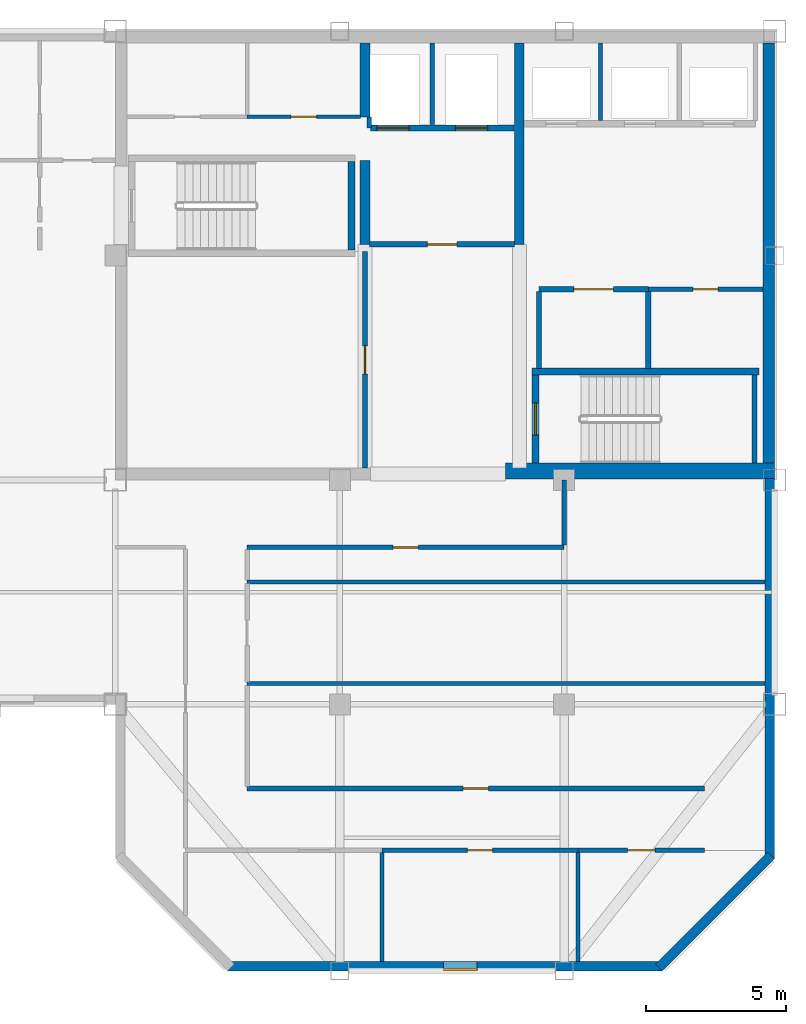
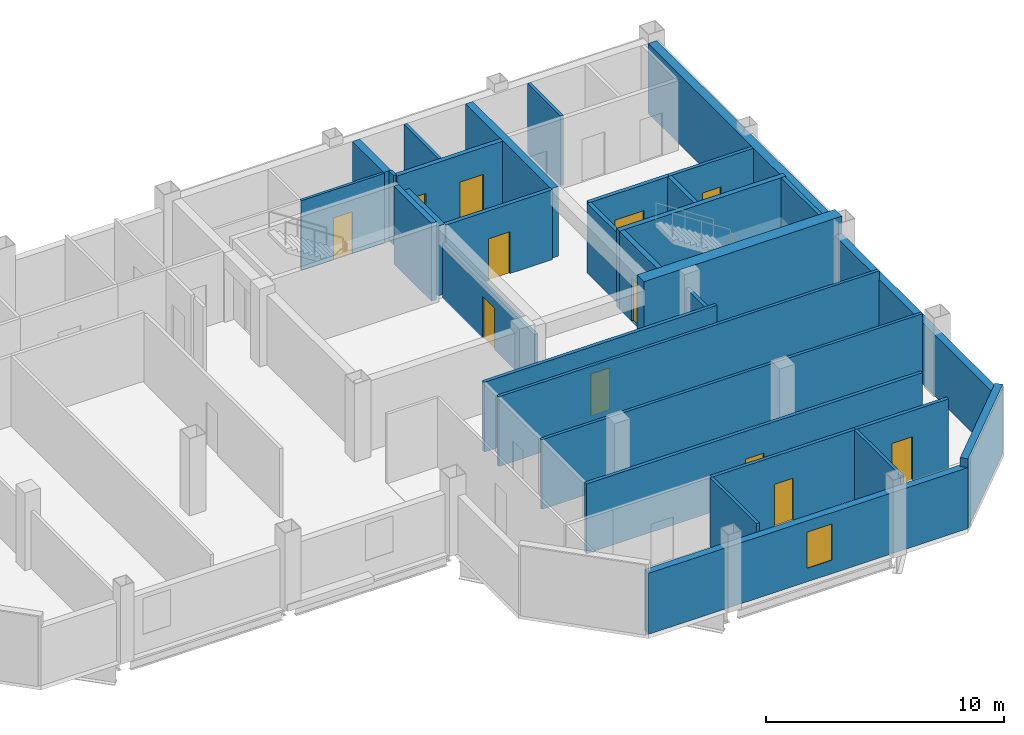
# One storey, part 3 of 7: 32 walls, 12 doors, 1 window, 13 openings.
"""IFC4 building model written with IfcOpenShell, lengths in metres."""

from ifc_helpers import new_model, si_unit, direction, frame, frame_2d, origin, place, context, subcontext, project, spatial, rectangle, extrude, material, layer, layer_set, type_object, element, fill, save


model = new_model("IFC4")

# Units and contexts
model_context = context("Model", 3, precision=1e-05, world=origin(), true_north=direction((0.0, 1.0)))
body_context = subcontext(model_context, "Body", "Model", "MODEL_VIEW")
ifc_project = project(units=[si_unit("LENGTHUNIT", "METRE"), si_unit("AREAUNIT", "SQUARE_METRE"), si_unit("VOLUMEUNIT", "CUBIC_METRE"), si_unit("PLANEANGLEUNIT", "RADIAN"), si_unit("MASSUNIT", "GRAM", prefix="KILO")], contexts=[model_context])

# Site, building, storey
site_placement = place(None, origin())
site = spatial("IfcSite", under=ifc_project, at=site_placement, CompositionType="ELEMENT")
building_placement = place(site_placement, origin())
building = spatial("IfcBuilding", under=site, at=building_placement, Name="Qianrong Seaharbour Tower", CompositionType="ELEMENT")
storey_placement = place(building_placement, frame((0.0, 0.0, 363.199951171875)))
storey = spatial("IfcBuildingStorey", under=building, at=storey_placement, Name="L88", CompositionType="ELEMENT", Elevation=363.199951171875)

# Walls
ifc_material_1 = material(Name="Concrete C50/60", Category="concrete")
ifc_layer_1 = layer(ifc_material_1, 0.419921875)
ifc_layer_set_1 = layer_set([ifc_layer_1], Name="Concrete C50/60")
wall_type_1 = type_object("IfcWallType", Name="WALL-CORE-420", PredefinedType="SHEAR", material=ifc_layer_set_1)
wall_1_placement = place(storey_placement, frame((63.7900390625, 36.320068359375, 0.0), z_axis=(0.0, 0.0, 1.0), x_axis=(0.0, 1.0, 0.0)))
element("IfcWall", 1, at=wall_1_placement, inside=storey, type_object=wall_type_1, Name="L88 East Core Shear Wall", PredefinedType="SHEAR", context=body_context, shape_type="SweptSolid", body=[
    extrude(rectangle(XDim=15.260009765625, YDim=0.419921875, at=frame_2d((7.6298828125, 0.0))), origin(), (0.0, 0.0, 1.0), 3.580078125),
])
ifc_material_2 = material(Name="Concrete C70/85", Category="concrete")
ifc_layer_2 = layer(ifc_material_2, 0.580078125)
ifc_layer_set_2 = layer_set([ifc_layer_2], Name="Concrete C70/85")
wall_type_2 = type_object("IfcWallType", Name="WALL-CORE-580", PredefinedType="SHEAR", material=ifc_layer_set_2)
wall_2_placement = place(storey_placement, frame((54.39990234375, 36.320068359375, 0.0), z_axis=(0.0, 0.0, 1.0), x_axis=(1.0, 0.0, 0.0)))
element("IfcWall", 2, at=wall_2_placement, inside=storey, type_object=wall_type_2, Name="L88 South Core Shear Wall S3", PredefinedType="SHEAR", context=body_context, shape_type="SweptSolid", body=[
    extrude(rectangle(XDim=9.60009765625, YDim=0.580078125, at=frame_2d((4.800048828125, 0.0))), origin(), (0.0, 0.0, 1.0), 4.0),
])
ifc_layer_3 = layer(ifc_material_1, 0.35009765625)
ifc_layer_set_3 = layer_set([ifc_layer_3], Name="Concrete C50/60")
wall_type_3 = type_object("IfcWallType", Name="WALL-CORE-INT-350", PredefinedType="SHEAR", material=ifc_layer_set_3)
wall_3_placement = place(storey_placement, frame((49.39990234375, 44.39990234375, 0.0), z_axis=(0.0, 0.0, 1.0), x_axis=(0.0, 1.0, 0.0)))
element("IfcWall", 3, at=wall_3_placement, inside=storey, type_object=wall_type_3, Name="L88 Internal Core Shear Wall IW1N1", PredefinedType="SHEAR", context=body_context, shape_type="SweptSolid", body=[
    extrude(rectangle(XDim=3.0, YDim=0.35009765625, at=frame_2d((1.5, 0.0))), origin(), (0.0, 0.0, 1.0), 3.580078125),
])
wall_4_placement = place(storey_placement, frame((49.39990234375, 48.949951171875, 0.0), z_axis=(0.0, 0.0, 1.0), x_axis=(0.0, 1.0, 0.0)))
element("IfcWall", 4, at=wall_4_placement, inside=storey, type_object=wall_type_3, Name="L88 Internal Core Shear Wall IW1N2", PredefinedType="SHEAR", context=body_context, shape_type="SweptSolid", body=[
    extrude(rectangle(XDim=2.630126953125, YDim=0.35009765625, at=frame_2d((1.31494140625, 0.0))), origin(), (0.0, 0.0, 1.0), 3.580078125),
])
wall_5_placement = place(storey_placement, frame((54.89990234375, 44.39990234375, 0.0), z_axis=(0.0, 0.0, 1.0), x_axis=(0.0, 1.0, 0.0)))
element("IfcWall", 5, at=wall_5_placement, inside=storey, type_object=wall_type_3, Name="L88 Internal Core Shear Wall IW2N", PredefinedType="SHEAR", context=body_context, shape_type="SweptSolid", body=[
    extrude(rectangle(XDim=7.18017578125, YDim=0.35009765625, at=frame_2d((3.590087890625, 0.0))), origin(), (0.0, 0.0, 1.0), 3.580078125),
])

# Wall, opening, door
ifc_material_3 = material(Name="Fire-rated acoustic gypsum board partition")
ifc_layer_4 = layer(ifc_material_3, 0.1650390625)
ifc_layer_set_4 = layer_set([ifc_layer_4], Name="Fire-rated acoustic gypsum board partition")
wall_type_4 = type_object("IfcWallType", Name="WALL-CORR-PART-165", PredefinedType="PARTITIONING", material=ifc_layer_set_4)
wall_6_placement = place(storey_placement, frame((49.39990234375, 36.419921875, 0.0), z_axis=(0.0, 0.0, 1.0), x_axis=(0.0, 1.0, 0.0)))
wall_6 = element("IfcWall", 6, at=wall_6_placement, inside=storey, type_object=wall_type_4, Name="L88 Interior Partition Wall 010", PredefinedType="PARTITIONING", context=body_context, shape_type="SweptSolid", body=[
    extrude(rectangle(XDim=7.72998046875, YDim=0.1650390625, at=frame_2d((3.864990234375, 0.0))), origin(), (0.0, 0.0, 1.0), 2.822021484375),
])
opening_1_placement = place(wall_6_placement, frame((3.364990234375, 0.0, 0.0)))
opening_1 = element("IfcOpeningElement", 7, at=opening_1_placement, cuts=wall_6, Name="Opening DO-01", PredefinedType="OPENING", context=body_context, shape_type="SweptSolid", body=[
    extrude(rectangle(XDim=1.0, YDim=2.14990234375, at=frame_2d((0.5, 1.074951171875))), frame((0.0, 0.092529296875, 0.0), z_axis=(0.0, -1.0, 0.0), x_axis=(1.0, 0.0, 0.0)), (0.0, 0.0, 1.0), 0.18505859375),
])
ifc_material_4 = material(Name="Acoustic timber and galvanized steel fire door assembly", Category="steel")
door_type_1 = type_object("IfcDoorType", Name="DOOR-OFFICE-1000x2150", OperationType="NOTDEFINED", PredefinedType="DOOR", material=ifc_material_4)
door_1_placement = place(opening_1_placement, origin())
door_1 = element("IfcDoor", 8, at=door_1_placement, inside=storey, type_object=door_type_1, Name="L88 Data Systems Office Door", OperationType="SINGLE_SWING_LEFT", OverallHeight=2.14990234375, OverallWidth=1.0, PredefinedType="DOOR", context=body_context, shape_type="SweptSolid", body=[
    extrude(rectangle(XDim=1.0, YDim=2.14990234375, at=frame_2d((0.5, 1.074951171875))), frame((0.0, 0.02490234375, 0.0), z_axis=(0.0, -1.0, 0.0), x_axis=(1.0, 0.0, 0.0)), (0.0, 0.0, 1.0), 0.050048828125),
])
fill(opening_1, door_1)

wall_7_placement = place(storey_placement, frame((63.580078125, 42.800048828125, 0.0), z_axis=(0.0, 0.0, 1.0), x_axis=(-1.0, 0.0, 0.0)))
wall_7 = element("IfcWall", 9, at=wall_7_placement, inside=storey, type_object=wall_type_4, Name="L88 Interior Partition Wall 013", PredefinedType="PARTITIONING", context=body_context, shape_type="SweptSolid", body=[
    extrude(rectangle(XDim=4.080078125, YDim=0.1650390625, at=frame_2d((2.0400390625, 0.0))), origin(), (0.0, 0.0, 1.0), 3.580078125),
])
opening_2_placement = place(wall_7_placement, frame((1.590087890625, 0.0, 0.0)))
opening_2 = element("IfcOpeningElement", 10, at=opening_2_placement, cuts=wall_7, Name="Opening DS-01", PredefinedType="OPENING", context=body_context, shape_type="SweptSolid", body=[
    extrude(rectangle(XDim=0.89990234375, YDim=2.14990234375, at=frame_2d((0.449951171875, 1.074951171875))), frame((0.0, 0.092529296875, 0.0), z_axis=(0.0, -1.0, 0.0), x_axis=(1.0, 0.0, 0.0)), (0.0, 0.0, 1.0), 0.18505859375),
])
door_type_2 = type_object("IfcDoorType", Name="DOOR-STORE-900x2150", OperationType="NOTDEFINED", PredefinedType="DOOR", material=ifc_material_4)
door_2_placement = place(opening_2_placement, origin())
door_2 = element("IfcDoor", 11, at=door_2_placement, inside=storey, type_object=door_type_2, Name="L88 Cleaner Store Room Door", OperationType="SINGLE_SWING_RIGHT", OverallHeight=2.14990234375, OverallWidth=0.89990234375, PredefinedType="DOOR", context=body_context, shape_type="SweptSolid", body=[
    extrude(rectangle(XDim=0.89990234375, YDim=2.14990234375, at=frame_2d((0.449951171875, 1.074951171875))), frame((0.0, 0.02490234375, 0.0), z_axis=(0.0, -1.0, 0.0), x_axis=(1.0, 0.0, 0.0)), (0.0, 0.0, 1.0), 0.050048828125),
])
fill(opening_2, door_2)

# Wall
wall_8_placement = place(storey_placement, frame((56.5, 36.0, 0.0), z_axis=(0.0, 0.0, 1.0), x_axis=(0.0, -1.0, 0.0)))
element("IfcWall", 12, at=wall_8_placement, inside=storey, type_object=wall_type_4, Name="L88 Interior Partition Wall 024", PredefinedType="PARTITIONING", context=body_context, shape_type="SweptSolid", body=[
    extrude(rectangle(XDim=2.325439453125, YDim=0.1650390625, at=frame_2d((1.16259765625, 0.0))), origin(), (0.0, 0.0, 1.0), 2.97216796875),
])

# Wall, opening, door
wall_9_placement = place(storey_placement, frame((56.5, 33.60009765625, 0.0), z_axis=(0.0, 0.0, 1.0), x_axis=(-1.0, 0.0, 0.0)))
wall_9 = element("IfcWall", 13, at=wall_9_placement, inside=storey, type_object=wall_type_4, Name="L88 Interior Partition Wall 025", PredefinedType="PARTITIONING", context=body_context, shape_type="SweptSolid", body=[
    extrude(rectangle(XDim=11.300048828125, YDim=0.1650390625, at=frame_2d((5.64990234375, 0.0))), origin(), (0.0, 0.0, 1.0), 3.580078125),
])
opening_3_placement = place(wall_9_placement, frame((5.199951171875, 0.0, 0.0)))
opening_3 = element("IfcOpeningElement", 14, at=opening_3_placement, cuts=wall_9, Name="Opening DS-01", PredefinedType="OPENING", context=body_context, shape_type="SweptSolid", body=[
    extrude(rectangle(XDim=0.89990234375, YDim=2.14990234375, at=frame_2d((0.449951171875, 1.074951171875))), frame((0.0, 0.092529296875, 0.0), z_axis=(0.0, -1.0, 0.0), x_axis=(1.0, 0.0, 0.0)), (0.0, 0.0, 1.0), 0.18505859375),
])
door_3_placement = place(opening_3_placement, origin())
door_3 = element("IfcDoor", 15, at=door_3_placement, inside=storey, type_object=door_type_2, Name="L88 Document Registry Store 3 Door", OperationType="SINGLE_SWING_LEFT", OverallHeight=2.14990234375, OverallWidth=0.89990234375, PredefinedType="DOOR", context=body_context, shape_type="SweptSolid", body=[
    extrude(rectangle(XDim=0.89990234375, YDim=2.14990234375, at=frame_2d((0.449951171875, 1.074951171875))), frame((0.0, 0.02490234375, 0.0), z_axis=(0.0, -1.0, 0.0), x_axis=(1.0, 0.0, 0.0)), (0.0, 0.0, 1.0), 0.050048828125),
])
fill(opening_3, door_3)

wall_10_placement = place(storey_placement, frame((45.199951171875, 25.0, 0.0), z_axis=(0.0, 0.0, 1.0), x_axis=(1.0, 0.0, 0.0)))
wall_10 = element("IfcWall", 16, at=wall_10_placement, inside=storey, type_object=wall_type_4, Name="L88 Interior Partition Wall 032", PredefinedType="PARTITIONING", context=body_context, shape_type="SweptSolid", body=[
    extrude(rectangle(XDim=16.300048828125, YDim=0.1650390625, at=frame_2d((8.14990234375, 0.0))), origin(), (0.0, 0.0, 1.0), 3.580078125),
])
opening_4_placement = place(wall_10_placement, frame((7.699951171875, 0.0, 0.0)))
opening_4 = element("IfcOpeningElement", 17, at=opening_4_placement, cuts=wall_10, Name="Opening DS-01", PredefinedType="OPENING", context=body_context, shape_type="SweptSolid", body=[
    extrude(rectangle(XDim=0.89990234375, YDim=2.14990234375, at=frame_2d((0.449951171875, 1.074951171875))), frame((0.0, 0.092529296875, 0.0), z_axis=(0.0, -1.0, 0.0), x_axis=(1.0, 0.0, 0.0)), (0.0, 0.0, 1.0), 0.18505859375),
])
door_4_placement = place(opening_4_placement, origin())
door_4 = element("IfcDoor", 18, at=door_4_placement, inside=storey, type_object=door_type_2, Name="L88 Docket Archive Store 1 Door", OperationType="SINGLE_SWING_LEFT", OverallHeight=2.14990234375, OverallWidth=0.89990234375, PredefinedType="DOOR", context=body_context, shape_type="SweptSolid", body=[
    extrude(rectangle(XDim=0.89990234375, YDim=2.14990234375, at=frame_2d((0.449951171875, 1.074951171875))), frame((0.0, 0.02490234375, 0.0), z_axis=(0.0, -1.0, 0.0), x_axis=(1.0, 0.0, 0.0)), (0.0, 0.0, 1.0), 0.050048828125),
])
fill(opening_4, door_4)

wall_11_placement = place(storey_placement, frame((57.0, 22.800048828125, 0.0), z_axis=(0.0, 0.0, 1.0), x_axis=(-1.0, 0.0, 0.0)))
wall_11 = element("IfcWall", 19, at=wall_11_placement, inside=storey, type_object=wall_type_4, Name="L88 Interior Partition Wall 034", PredefinedType="PARTITIONING", context=body_context, shape_type="SweptSolid", body=[
    extrude(rectangle(XDim=7.0, YDim=0.1650390625, at=frame_2d((3.5, 0.0))), origin(), (0.0, 0.0, 1.0), 3.580078125),
])
opening_5_placement = place(wall_11_placement, frame((3.050048828125, 0.0, 0.0)))
opening_5 = element("IfcOpeningElement", 20, at=opening_5_placement, cuts=wall_11, Name="Opening DS-01", PredefinedType="OPENING", context=body_context, shape_type="SweptSolid", body=[
    extrude(rectangle(XDim=0.89990234375, YDim=2.14990234375, at=frame_2d((0.449951171875, 1.074951171875))), frame((0.0, 0.092529296875, 0.0), z_axis=(0.0, -1.0, 0.0), x_axis=(1.0, 0.0, 0.0)), (0.0, 0.0, 1.0), 0.18505859375),
])
door_5_placement = place(opening_5_placement, origin())
door_5 = element("IfcDoor", 21, at=door_5_placement, inside=storey, type_object=door_type_2, Name="L88 Corporate Archive Room 2 Door", OperationType="SINGLE_SWING_RIGHT", OverallHeight=2.14990234375, OverallWidth=0.89990234375, PredefinedType="DOOR", context=body_context, shape_type="SweptSolid", body=[
    extrude(rectangle(XDim=0.89990234375, YDim=2.14990234375, at=frame_2d((0.449951171875, 1.074951171875))), frame((0.0, 0.02490234375, 0.0), z_axis=(0.0, -1.0, 0.0), x_axis=(1.0, 0.0, 0.0)), (0.0, 0.0, 1.0), 0.050048828125),
])
fill(opening_5, door_5)

wall_12_placement = place(storey_placement, frame((61.5, 22.800048828125, 0.0), z_axis=(0.0, 0.0, 1.0), x_axis=(-1.0, 0.0, 0.0)))
wall_12 = element("IfcWall", 22, at=wall_12_placement, inside=storey, type_object=wall_type_4, Name="L88 Interior Partition Wall 035", PredefinedType="PARTITIONING", context=body_context, shape_type="SweptSolid", body=[
    extrude(rectangle(XDim=4.5, YDim=0.1650390625, at=frame_2d((2.25, 0.0))), origin(), (0.0, 0.0, 1.0), 3.580078125),
])
opening_6_placement = place(wall_12_placement, frame((1.760009765625, 0.0, 0.0)))
opening_6 = element("IfcOpeningElement", 23, at=opening_6_placement, cuts=wall_12, Name="Opening DE-01", PredefinedType="OPENING", context=body_context, shape_type="SweptSolid", body=[
    extrude(rectangle(XDim=0.97998046875, YDim=2.25, at=frame_2d((0.489990234375, 1.125))), frame((0.0, 0.092529296875, 0.0), z_axis=(0.0, -1.0, 0.0), x_axis=(1.0, 0.0, 0.0)), (0.0, 0.0, 1.0), 0.18505859375),
])
door_type_3 = type_object("IfcDoorType", Name="DOOR-EXEC-980x2250", OperationType="NOTDEFINED", PredefinedType="DOOR", material=ifc_material_4)
door_6_placement = place(opening_6_placement, origin())
door_6 = element("IfcDoor", 24, at=door_6_placement, inside=storey, type_object=door_type_3, Name="L88 Senior Partner Office 3 Door", OperationType="SINGLE_SWING_LEFT", OverallHeight=2.25, OverallWidth=0.97998046875, PredefinedType="DOOR", context=body_context, shape_type="SweptSolid", body=[
    extrude(rectangle(XDim=0.97998046875, YDim=2.25, at=frame_2d((0.489990234375, 1.125))), frame((0.0, 0.02490234375, 0.0), z_axis=(0.0, -1.0, 0.0), x_axis=(1.0, 0.0, 0.0)), (0.0, 0.0, 1.0), 0.050048828125),
])
fill(opening_6, door_6)

# Walls
ifc_material_5 = material(Name="Unitised buff brick on Precast concrete C45/55", Category="masonry")
ifc_layer_5 = layer(ifc_material_5, 0.340087890625)
ifc_layer_set_5 = layer_set([ifc_layer_5], Name="Unitised buff brick on Precast concrete C45/55")
wall_type_5 = type_object("IfcWallType", Name="WALL-EXT-BRICK-BUFF-340", PredefinedType="SOLIDWALL", material=ifc_layer_set_5)
wall_13_placement = place(storey_placement, frame((63.830078125, 36.050048828125, 0.0), z_axis=(0.0, 0.0, 1.0), x_axis=(0.0, -1.0, 0.0)))
element("IfcWall", 25, at=wall_13_placement, inside=storey, type_object=wall_type_5, Name="L88 Exterior Masonry Facade Wall EAST_WING", PredefinedType="SOLIDWALL", context=body_context, shape_type="SweptSolid", body=[
    extrude(rectangle(XDim=13.550048828125, YDim=0.340087890625, at=frame_2d((6.77490234375, 0.0))), origin(), (0.0, 0.0, 1.0), 3.130126953125),
])
wall_14_placement = place(storey_placement, frame((63.8798828125, 22.6201171875, 0.0), z_axis=(0.0, 0.0, 1.0), x_axis=(-0.707106781187, -0.707106781187, 0.0)))
element("IfcWall", 26, at=wall_14_placement, inside=storey, type_object=wall_type_5, Name="L88 Exterior Masonry Facade Wall E07", PredefinedType="SOLIDWALL", context=body_context, shape_type="SweptSolid", body=[
    extrude(rectangle(XDim=5.65673828125, YDim=0.340087890625, at=frame_2d((2.828369140625, 0.0))), origin(), (0.0, 0.0, 1.0), 3.580078125),
])

# Wall, opening, window
wall_15_placement = place(storey_placement, frame((60.0, 18.669921875, 0.0), z_axis=(0.0, 0.0, 1.0), x_axis=(-1.0, 0.0, 0.0)))
wall_15 = element("IfcWall", 27, at=wall_15_placement, inside=storey, type_object=wall_type_5, Name="L88 Exterior Masonry Facade Wall SOUTH_TIP", PredefinedType="SOLIDWALL", context=body_context, shape_type="SweptSolid", body=[
    extrude(rectangle(XDim=15.5, YDim=0.340087890625, at=frame_2d((7.75, 0.0))), origin(), (0.0, 0.0, 1.0), 3.130126953125),
])
opening_7_placement = place(wall_15_placement, frame((6.60009765625, 0.0, 0.699951171875)))
opening_7 = element("IfcOpeningElement", 28, at=opening_7_placement, cuts=wall_15, Name="Opening WN-01", PredefinedType="OPENING", context=body_context, shape_type="SweptSolid", body=[
    extrude(rectangle(XDim=1.199951171875, YDim=1.85009765625, at=frame_2d((0.60009765625, 0.925048828125))), frame((0.0, 0.18017578125, 0.0), z_axis=(0.0, -1.0, 0.0), x_axis=(1.0, 0.0, 0.0)), (0.0, 0.0, 1.0), 0.360107421875),
])
ifc_material_6 = material(Name="Insulated low-e double glazing in thermally broken aluminium 6063-T6 frame", Category="aluminium")
window_type = type_object("IfcWindowType", Name="WIN-PUNCH-1200x1850", PartitioningType="DOUBLE_PANEL_VERTICAL", PredefinedType="WINDOW", material=ifc_material_6)
window_placement = place(opening_7_placement, origin())
window = element("IfcWindow", 29, at=window_placement, inside=storey, type_object=window_type, Name="L88 Deep-Set Punched Window 08.02", OverallHeight=1.85009765625, OverallWidth=1.199951171875, PartitioningType="DOUBLE_PANEL_VERTICAL", PredefinedType="WINDOW", context=body_context, shape_type="SweptSolid", body=[
    extrude(rectangle(XDim=1.199951171875, YDim=1.85009765625, at=frame_2d((0.60009765625, 0.925048828125))), frame((0.0, 0.150146484375, 0.0), z_axis=(0.0, -1.0, 0.0), x_axis=(1.0, 0.0, 0.0)), (0.0, 0.0, 1.0), 0.06005859375),
])
fill(opening_7, window)

# Wall, opening, door
ifc_material_7 = material(Name="Double fire-rated gypsum board acoustic partition")
ifc_layer_6 = layer(ifc_material_7, 0.18994140625)
ifc_layer_set_6 = layer_set([ifc_layer_6], Name="Double fire-rated gypsum board acoustic partition")
wall_type_6 = type_object("IfcWallType", Name="WALL-FIRE-PART-190", PredefinedType="PARTITIONING", material=ifc_layer_set_6)
wall_16_placement = place(storey_placement, frame((54.73291015625, 44.39990234375, 0.0), z_axis=(0.0, 0.0, 1.0), x_axis=(-1.0, 0.0, 0.0)))
wall_16 = element("IfcWall", 30, at=wall_16_placement, inside=storey, type_object=wall_type_6, Name="L88 Interior Partition Wall 009", PredefinedType="PARTITIONING", context=body_context, shape_type="SweptSolid", body=[
    extrude(rectangle(XDim=5.166015625, YDim=0.18994140625, at=frame_2d((2.5830078125, 0.0))), origin(), (0.0, 0.0, 1.0), 3.580078125),
])
opening_8_placement = place(wall_16_placement, frame((2.05810546875, 0.0, 0.0)))
opening_8 = element("IfcOpeningElement", 31, at=opening_8_placement, cuts=wall_16, Name="Opening DC-01", PredefinedType="OPENING", context=body_context, shape_type="SweptSolid", body=[
    extrude(rectangle(XDim=1.050048828125, YDim=2.14990234375, at=frame_2d((0.52490234375, 1.074951171875))), frame((0.0, 0.10498046875, 0.0), z_axis=(0.0, -1.0, 0.0), x_axis=(1.0, 0.0, 0.0)), (0.0, 0.0, 1.0), 0.2099609375),
])
door_type_4 = type_object("IfcDoorType", Name="DOOR-CORR-FD60-1050x2150", OperationType="NOTDEFINED", PredefinedType="DOOR", material=ifc_material_4)
door_7_placement = place(opening_8_placement, origin())
door_7 = element("IfcDoor", 32, at=door_7_placement, inside=storey, type_object=door_type_4, Name="L88 Firefighting Lift Lobby Door", OperationType="SINGLE_SWING_RIGHT", OverallHeight=2.14990234375, OverallWidth=1.050048828125, PredefinedType="DOOR", context=body_context, shape_type="SweptSolid", body=[
    extrude(rectangle(XDim=1.050048828125, YDim=2.14990234375, at=frame_2d((0.52490234375, 1.074951171875))), frame((0.0, 0.02490234375, 0.0), z_axis=(0.0, -1.0, 0.0), x_axis=(1.0, 0.0, 0.0)), (0.0, 0.0, 1.0), 0.050048828125),
])
fill(opening_8, door_7)

# Wall
wall_17_placement = place(storey_placement, frame((55.60009765625, 42.712890625, 0.0), z_axis=(0.0, 0.0, 1.0), x_axis=(0.0, -1.0, 0.0)))
element("IfcWall", 33, at=wall_17_placement, inside=storey, type_object=wall_type_6, Name="L88 Interior Partition Wall 011", PredefinedType="PARTITIONING", context=body_context, shape_type="SweptSolid", body=[
    extrude(rectangle(XDim=2.73095703125, YDim=0.18994140625, at=frame_2d((1.365478515625, 0.0))), origin(), (0.0, 0.0, 1.0), 3.580078125),
])

# Wall, opening, door
wall_18_placement = place(storey_placement, frame((59.5, 42.800048828125, 0.0), z_axis=(0.0, 0.0, 1.0), x_axis=(-1.0, 0.0, 0.0)))
wall_18 = element("IfcWall", 34, at=wall_18_placement, inside=storey, type_object=wall_type_6, Name="L88 Interior Partition Wall 012", PredefinedType="PARTITIONING", context=body_context, shape_type="SweptSolid", body=[
    extrude(rectangle(XDim=3.89990234375, YDim=0.18994140625, at=frame_2d((1.949951171875, 0.0))), origin(), (0.0, 0.0, 1.0), 3.580078125),
])
opening_9_placement = place(wall_18_placement, frame((1.25, 0.0, 0.0)))
opening_9 = element("IfcOpeningElement", 35, at=opening_9_placement, cuts=wall_18, Name="Opening DP-01", PredefinedType="OPENING", context=body_context, shape_type="SweptSolid", body=[
    extrude(rectangle(XDim=1.39990234375, YDim=2.25, at=frame_2d((0.699951171875, 1.125))), frame((0.0, 0.10498046875, 0.0), z_axis=(0.0, -1.0, 0.0), x_axis=(1.0, 0.0, 0.0)), (0.0, 0.0, 1.0), 0.2099609375),
])
door_type_5 = type_object("IfcDoorType", Name="DOOR-PLANT-PAIR-1400x2250", OperationType="DOUBLE_DOOR_SINGLE_SWING", PredefinedType="DOOR", material=ifc_material_4)
door_8_placement = place(opening_9_placement, origin())
door_8 = element("IfcDoor", 36, at=door_8_placement, inside=storey, type_object=door_type_5, Name="L88 Electrical Substation Door", OperationType="DOUBLE_DOOR_SINGLE_SWING", OverallHeight=2.25, OverallWidth=1.39990234375, PredefinedType="DOOR", context=body_context, shape_type="SweptSolid", body=[
    extrude(rectangle(XDim=1.39990234375, YDim=2.25, at=frame_2d((0.699951171875, 1.125))), frame((0.0, 0.02490234375, 0.0), z_axis=(0.0, -1.0, 0.0), x_axis=(1.0, 0.0, 0.0)), (0.0, 0.0, 1.0), 0.050048828125),
])
fill(opening_9, door_8)

# Walls
wall_19_placement = place(storey_placement, frame((59.5, 42.712890625, 0.0), z_axis=(0.0, 0.0, 1.0), x_axis=(0.0, -1.0, 0.0)))
element("IfcWall", 37, at=wall_19_placement, inside=storey, type_object=wall_type_6, Name="L88 Interior Partition Wall 015", PredefinedType="PARTITIONING", context=body_context, shape_type="SweptSolid", body=[
    extrude(rectangle(XDim=2.73095703125, YDim=0.18994140625, at=frame_2d((1.365478515625, 0.0))), origin(), (0.0, 0.0, 1.0), 3.580078125),
])
ifc_material_8 = material(Name="Acoustic gypsum board stud partition")
ifc_layer_7 = layer(ifc_material_8, 0.14501953125)
ifc_layer_set_7 = layer_set([ifc_layer_7], Name="Acoustic gypsum board stud partition")
wall_type_7 = type_object("IfcWallType", Name="WALL-OFFICE-PART-145", PredefinedType="PARTITIONING", material=ifc_layer_set_7)
for number, where, z_axis, x_axis, name in (
    (38, (45.199951171875, 28.739990234375, 0.0), (0.0, 0.0, 1.0), (1.0, 0.0, 0.0), "L88 Interior Partition Wall 041"),
    (39, (45.199951171875, 32.3701171875, 0.0), (0.0, 0.0, 1.0), (1.0, 0.0, 0.0), "L88 Interior Partition Wall 042"),
):
    element("IfcWall", number, at=place(storey_placement, frame(where, z_axis=z_axis, x_axis=x_axis)), inside=storey, type_object=wall_type_7, Name=name, PredefinedType="PARTITIONING", context=body_context, shape_type="SweptSolid", body=[
        extrude(rectangle(XDim=18.468017578125, YDim=0.14501953125, at=frame_2d((9.23388671875, 0.0))), origin(), (0.0, 0.0, 1.0), 3.580078125),
    ])
for number, where, z_axis, x_axis, name in (
    (40, (50.0, 22.7255859375, 0.0), (0.0, 0.0, 1.0), (0.0, -1.0, 0.0), "L88 Interior Partition Wall 044"),
    (41, (57.0, 22.7255859375, 0.0), (0.0, 0.0, 1.0), (0.0, -1.0, 0.0), "L88 Interior Partition Wall 045"),
):
    element("IfcWall", number, at=place(storey_placement, frame(where, z_axis=z_axis, x_axis=x_axis)), inside=storey, type_object=wall_type_7, Name=name, PredefinedType="PARTITIONING", context=body_context, shape_type="SweptSolid", body=[
        extrude(rectangle(XDim=3.8935546875, YDim=0.14501953125, at=frame_2d((1.94677734375, 0.0))), origin(), (0.0, 0.0, 1.0), 3.580078125),
    ])
ifc_material_9 = material(Name="Fire-rated gypsum board on steel studs", Category="steel")
ifc_layer_8 = layer(ifc_material_9, 0.14990234375)
ifc_layer_set_8 = layer_set([ifc_layer_8], Name="Fire-rated gypsum board on steel studs")
wall_type_8 = type_object("IfcWallType", Name="WALL-SHAFT-DIV-150", PredefinedType="PARTITIONING", material=ifc_layer_set_8)
wall_20_placement = place(storey_placement, frame((51.800048828125, 48.669921875, 0.0), z_axis=(0.0, 0.0, 1.0), x_axis=(0.0, 1.0, 0.0)))
element("IfcWall", 42, at=wall_20_placement, inside=storey, type_object=wall_type_8, Name="L88 Firefighting Lift Shaft Divider Wall", PredefinedType="PARTITIONING", context=body_context, shape_type="SweptSolid", body=[
    extrude(rectangle(XDim=2.91015625, YDim=0.14990234375, at=frame_2d((1.455078125, 0.0))), origin(), (0.0, 0.0, 1.0), 3.580078125),
])
wall_21_placement = place(storey_placement, frame((49.550048828125, 48.550048828125, 0.0), z_axis=(0.0, 0.0, 1.0), x_axis=(0.0, 1.0, 0.0)))
element("IfcWall", 43, at=wall_21_placement, inside=storey, type_object=wall_type_8, Name="L88 Firefighting Lift Shaft West Return Wall", PredefinedType="PARTITIONING", context=body_context, shape_type="SweptSolid", body=[
    extrude(rectangle(XDim=0.39990234375, YDim=0.14990234375, at=frame_2d((0.199951171875, 0.0))), origin(), (0.0, 0.0, 1.0), 3.580078125),
])
wall_22_placement = place(storey_placement, frame((57.800048828125, 48.81005859375, 0.0), z_axis=(0.0, 0.0, 1.0), x_axis=(0.0, 1.0, 0.0)))
element("IfcWall", 44, at=wall_22_placement, inside=storey, type_object=wall_type_8, Name="L88 P4 Lift Hoistway Divider 2", PredefinedType="PARTITIONING", context=body_context, shape_type="SweptSolid", body=[
    extrude(rectangle(XDim=2.77001953125, YDim=0.14990234375, at=frame_2d((1.385009765625, 0.0))), origin(), (0.0, 0.0, 1.0), 3.580078125),
])

# Wall, openings, doors
ifc_layer_9 = layer(ifc_material_9, 0.219970703125)
ifc_layer_set_9 = layer_set([ifc_layer_9], Name="Fire-rated gypsum board on steel studs")
wall_type_9 = type_object("IfcWallType", Name="WALL-SHAFT-GYP220", PredefinedType="PARTITIONING", material=ifc_layer_set_9)
wall_23_placement = place(storey_placement, frame((54.7099609375, 48.550048828125, 0.0), z_axis=(0.0, 0.0, 1.0), x_axis=(-1.0, 0.0, 0.0)))
wall_23 = element("IfcWall", 45, at=wall_23_placement, inside=storey, type_object=wall_type_9, Name="L88 Firefighting Lift Shaft Front Wall", PredefinedType="PARTITIONING", context=body_context, shape_type="SweptSolid", body=[
    extrude(rectangle(XDim=5.119873046875, YDim=0.219970703125, at=frame_2d((2.56005859375, 0.0))), origin(), (0.0, 0.0, 1.0), 3.580078125),
])
opening_10_placement = place(wall_23_placement, frame((3.735107421875, 0.0, 0.0)))
opening_10 = element("IfcOpeningElement", 46, at=opening_10_placement, cuts=wall_23, Name="Opening LD-01", PredefinedType="OPENING", context=body_context, shape_type="SweptSolid", body=[
    extrude(rectangle(XDim=1.14990234375, YDim=2.199951171875, at=frame_2d((0.574951171875, 1.10009765625))), frame((0.0, 0.1201171875, 0.0), z_axis=(0.0, -1.0, 0.0), x_axis=(1.0, 0.0, 0.0)), (0.0, 0.0, 1.0), 0.239990234375),
])
opening_11_placement = place(wall_23_placement, frame((0.93505859375, 0.0, 0.0)))
opening_11 = element("IfcOpeningElement", 47, at=opening_11_placement, cuts=wall_23, Name="Opening LD-01", PredefinedType="OPENING", context=body_context, shape_type="SweptSolid", body=[
    extrude(rectangle(XDim=1.14990234375, YDim=2.199951171875, at=frame_2d((0.574951171875, 1.10009765625))), frame((0.0, 0.1201171875, 0.0), z_axis=(0.0, -1.0, 0.0), x_axis=(1.0, 0.0, 0.0)), (0.0, 0.0, 1.0), 0.239990234375),
])
ifc_material_10 = material(Name="Stainless steel SUS316L bi-parting lift landing door", Category="steel")
door_type_6 = type_object("IfcDoorType", Name="DOOR-LIFT-FF-1150x2200", OperationType="DOUBLE_DOOR_SLIDING", PredefinedType="DOOR", material=ifc_material_10)
door_9_placement = place(opening_10_placement, origin())
door_9 = element("IfcDoor", 48, at=door_9_placement, inside=storey, type_object=door_type_6, Name="L88 FL-1 Firefighting Lift Landing Door", OperationType="DOUBLE_DOOR_SLIDING", OverallHeight=2.199951171875, OverallWidth=1.14990234375, PredefinedType="DOOR", context=body_context, shape_type="SweptSolid", body=[
    extrude(rectangle(XDim=1.14990234375, YDim=2.199951171875, at=frame_2d((0.574951171875, 1.10009765625))), frame((0.0, 0.02490234375, 0.0), z_axis=(0.0, -1.0, 0.0), x_axis=(1.0, 0.0, 0.0)), (0.0, 0.0, 1.0), 0.050048828125),
])
fill(opening_10, door_9)
door_10_placement = place(opening_11_placement, origin())
door_10 = element("IfcDoor", 49, at=door_10_placement, inside=storey, type_object=door_type_6, Name="L88 FL-2 Firefighting Lift Landing Door", OperationType="DOUBLE_DOOR_SLIDING", OverallHeight=2.199951171875, OverallWidth=1.14990234375, PredefinedType="DOOR", context=body_context, shape_type="SweptSolid", body=[
    extrude(rectangle(XDim=1.14990234375, YDim=2.199951171875, at=frame_2d((0.574951171875, 1.10009765625))), frame((0.0, 0.02490234375, 0.0), z_axis=(0.0, -1.0, 0.0), x_axis=(1.0, 0.0, 0.0)), (0.0, 0.0, 1.0), 0.050048828125),
])
fill(opening_11, door_10)

# Walls
ifc_layer_10 = layer(ifc_material_1, 0.239990234375)
ifc_layer_set_10 = layer_set([ifc_layer_10], Name="Concrete C50/60")
wall_type_10 = type_object("IfcWallType", Name="WALL-SHAFT-RC240", PredefinedType="SOLIDWALL", material=ifc_layer_set_10)
wall_24_placement = place(storey_placement, frame((48.919921875, 44.199951171875, 0.0), z_axis=(0.0, 0.0, 1.0), x_axis=(0.0, 1.0, 0.0)))
element("IfcWall", 50, at=wall_24_placement, inside=storey, type_object=wall_type_10, Name="L88 ST-1 Structural Stair Core Wall E", PredefinedType="SOLIDWALL", context=body_context, shape_type="SweptSolid", body=[
    extrude(rectangle(XDim=3.150146484375, YDim=0.239990234375, at=frame_2d((1.5751953125, 0.0))), origin(), (0.0, 0.0, 1.0), 4.0),
])
wall_25_placement = place(storey_placement, frame((55.360107421875, 39.8701171875, 0.0), z_axis=(0.0, 0.0, 1.0), x_axis=(1.0, 0.0, 0.0)))
element("IfcWall", 51, at=wall_25_placement, inside=storey, type_object=wall_type_10, Name="L88 ST-2 Structural Stair Core Wall N", PredefinedType="SOLIDWALL", context=body_context, shape_type="SweptSolid", body=[
    extrude(rectangle(XDim=8.079833984375, YDim=0.239990234375, at=frame_2d((4.0400390625, 0.0))), origin(), (0.0, 0.0, 1.0), 4.0),
])

# Wall, opening, door
wall_26_placement = place(storey_placement, frame((55.47998046875, 39.75, 0.0), z_axis=(0.0, 0.0, 1.0), x_axis=(0.0, -1.0, 0.0)))
wall_26 = element("IfcWall", 52, at=wall_26_placement, inside=storey, type_object=wall_type_10, Name="L88 ST-2 Structural Stair Core Wall W", PredefinedType="SOLIDWALL", context=body_context, shape_type="SweptSolid", body=[
    extrude(rectangle(XDim=3.14990234375, YDim=0.239990234375, at=frame_2d((1.574951171875, 0.0))), origin(), (0.0, 0.0, 1.0), 4.0),
])
opening_12_placement = place(wall_26_placement, frame((1.0, 0.0, 0.0)))
opening_12 = element("IfcOpeningElement", 53, at=opening_12_placement, cuts=wall_26, Name="Opening SD-01", PredefinedType="OPENING", context=body_context, shape_type="SweptSolid", body=[
    extrude(rectangle(XDim=1.14990234375, YDim=2.199951171875, at=frame_2d((0.574951171875, 1.10009765625))), frame((0.0, 0.1298828125, 0.0), z_axis=(0.0, -1.0, 0.0), x_axis=(1.0, 0.0, 0.0)), (0.0, 0.0, 1.0), 0.260009765625),
])
door_type_7 = type_object("IfcDoorType", Name="DOOR-STAIR-FD60-1150x2200", OperationType="NOTDEFINED", PredefinedType="DOOR", material=ifc_material_4)
door_11_placement = place(opening_12_placement, origin())
door_11 = element("IfcDoor", 54, at=door_11_placement, inside=storey, type_object=door_type_7, Name="L88 ST-2 Protected Stair Door", OperationType="SINGLE_SWING_LEFT", OverallHeight=2.199951171875, OverallWidth=1.14990234375, PredefinedType="DOOR", context=body_context, shape_type="SweptSolid", body=[
    extrude(rectangle(XDim=1.14990234375, YDim=2.199951171875, at=frame_2d((0.574951171875, 1.10009765625))), frame((0.0, 0.02490234375, 0.0), z_axis=(0.0, -1.0, 0.0), x_axis=(1.0, 0.0, 0.0)), (0.0, 0.0, 1.0), 0.050048828125),
])
fill(opening_12, door_11)

# Wall
wall_27_placement = place(storey_placement, frame((63.2900390625, 36.60009765625, 0.0), z_axis=(0.0, 0.0, 1.0), x_axis=(0.0, 1.0, 0.0)))
element("IfcWall", 55, at=wall_27_placement, inside=storey, type_object=wall_type_10, Name="L88 ST-2 Structural Stair Core Wall E", PredefinedType="SOLIDWALL", context=body_context, shape_type="SweptSolid", body=[
    extrude(rectangle(XDim=3.14990234375, YDim=0.179931640625, at=frame_2d((1.574951171875, 0.0))), origin(), (0.0, 0.0, 1.0), 4.0),
])

# Wall, opening, door
ifc_material_11 = material(Name="Water-resistant cement board sanitary partition")
ifc_layer_11 = layer(ifc_material_11, 0.1298828125)
ifc_layer_set_11 = layer_set([ifc_layer_11], Name="Water-resistant cement board sanitary partition")
wall_type_11 = type_object("IfcWallType", Name="WALL-WET-PART-130", PredefinedType="PARTITIONING", material=ifc_layer_set_11)
wall_28_placement = place(storey_placement, frame((45.199951171875, 48.949951171875, 0.0), z_axis=(0.0, 0.0, 1.0), x_axis=(1.0, 0.0, 0.0)))
wall_28 = element("IfcWall", 56, at=wall_28_placement, inside=storey, type_object=wall_type_11, Name="L88 Interior Partition Wall 008", PredefinedType="PARTITIONING", context=body_context, shape_type="SweptSolid", body=[
    extrude(rectangle(XDim=4.032958984375, YDim=0.1298828125, at=frame_2d((2.0166015625, 0.0))), origin(), (0.0, 0.0, 1.0), 3.580078125),
])
opening_13_placement = place(wall_28_placement, frame((1.556396484375, 0.0, 0.0)))
opening_13 = element("IfcOpeningElement", 57, at=opening_13_placement, cuts=wall_28, Name="Opening DW-01", PredefinedType="OPENING", context=body_context, shape_type="SweptSolid", body=[
    extrude(rectangle(XDim=0.919921875, YDim=2.14990234375, at=frame_2d((0.4599609375, 1.074951171875))), frame((0.0, 0.074951171875, 0.0), z_axis=(0.0, -1.0, 0.0), x_axis=(1.0, 0.0, 0.0)), (0.0, 0.0, 1.0), 0.14990234375),
])
door_type_8 = type_object("IfcDoorType", Name="DOOR-WC-920x2150", OperationType="NOTDEFINED", PredefinedType="DOOR", material=ifc_material_4)
door_12_placement = place(opening_13_placement, origin())
door_12 = element("IfcDoor", 58, at=door_12_placement, inside=storey, type_object=door_type_8, Name="L88 Female Restroom WC Door", OperationType="SINGLE_SWING_LEFT", OverallHeight=2.14990234375, OverallWidth=0.919921875, PredefinedType="DOOR", context=body_context, shape_type="SweptSolid", body=[
    extrude(rectangle(XDim=0.919921875, YDim=2.14990234375, at=frame_2d((0.4599609375, 1.074951171875))), frame((0.0, 0.02490234375, 0.0), z_axis=(0.0, -1.0, 0.0), x_axis=(1.0, 0.0, 0.0)), (0.0, 0.0, 1.0), 0.050048828125),
])
fill(opening_13, door_12)

save(model, "model.ifc")
